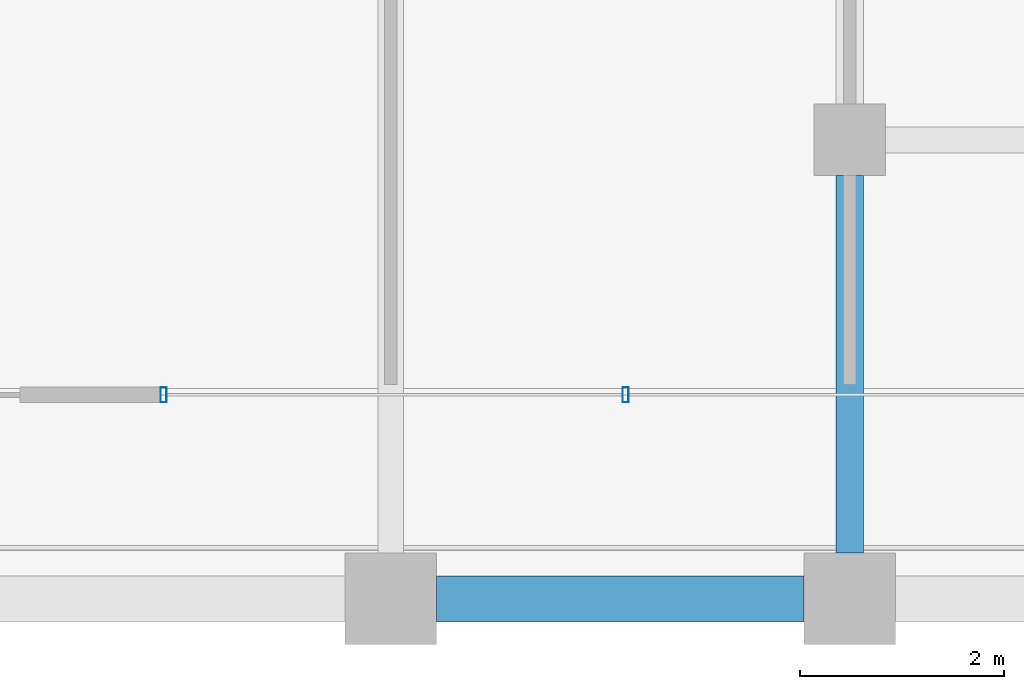
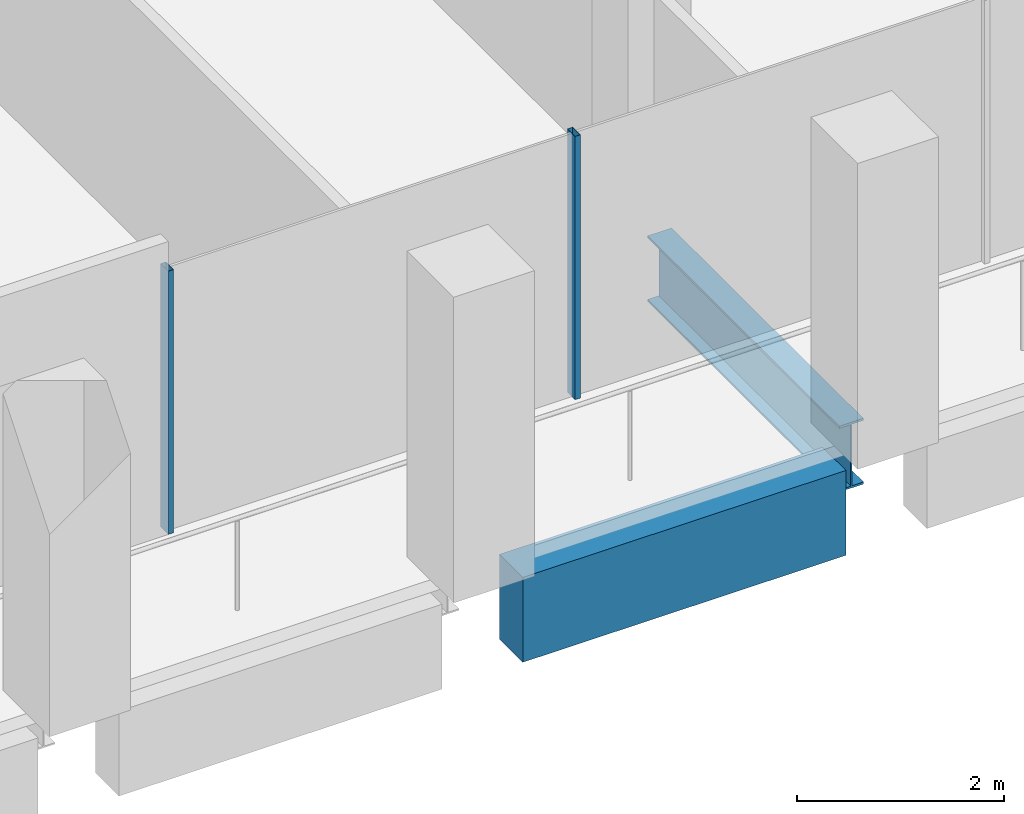
# One storey, part 9 of 40: 2 beams, 2 members, 1 element without a shape of its own.
"""IFC4 building model written with IfcOpenShell, lengths in metres."""

from ifc_helpers import new_model, si_unit, direction, frame, origin, origin_2d, place, context, subcontext, project, spatial, rectangle, hollow_rectangle, i_section, extrude, material, material_profile, profile_set, type_object, element, aggregate, save


model = new_model("IFC4")

# Units and contexts
model_context = context("Model", 3, precision=1e-05, world=origin(), true_north=direction((0.0, 1.0)))
body_context = subcontext(model_context, "Body", "Model", "MODEL_VIEW")
ifc_project = project(units=[si_unit("LENGTHUNIT", "METRE"), si_unit("AREAUNIT", "SQUARE_METRE"), si_unit("VOLUMEUNIT", "CUBIC_METRE"), si_unit("PLANEANGLEUNIT", "RADIAN"), si_unit("MASSUNIT", "GRAM", prefix="KILO")], contexts=[model_context])

# Site, building, storey
site_placement = place(None, origin())
site = spatial("IfcSite", under=ifc_project, at=site_placement, CompositionType="ELEMENT")
building_placement = place(site_placement, origin())
building = spatial("IfcBuilding", under=site, at=building_placement, Name="Altepetl Exchange Towers", CompositionType="ELEMENT")
storey_placement = place(building_placement, frame((0.0, 0.0, 169.0)))
storey = spatial("IfcBuildingStorey", under=building, at=storey_placement, Name="L42", CompositionType="ELEMENT", Elevation=169.0)

# Beam
ifc_material_1 = material(Name="Steel S355", Category="steel")
ifc_material_profile_1 = material_profile(ifc_material_1, i_section(OverallWidth=0.26806640625, OverallDepth=0.77392578125, WebThickness=0.015380859375, FlangeThickness=0.025390625, at=origin_2d()), Name="W30X132")
ifc_profile_set_1 = profile_set([ifc_material_profile_1], Name="Steel S355")
beam_type_1 = type_object("IfcBeamType", Name="Girder W30X132", PredefinedType="BEAM", material=ifc_profile_set_1)
beam_1_placement = place(storey_placement, frame((58.5, 31.14990234375, -0.537109375), z_axis=(0.0, -1.0, 0.0), x_axis=(1.0, 0.0, 0.0)))
element("IfcBeam", 1, at=beam_1_placement, inside=storey, type_object=beam_type_1, Name="gd:A:L42:005", PredefinedType="BEAM", context=body_context, shape_type="SweptSolid", body=[
    extrude(i_section(OverallWidth=0.26806640625, OverallDepth=0.77392578125, WebThickness=0.015380859375, FlangeThickness=0.025390625, at=origin_2d()), origin(), (0.0, 0.0, 1.0), 3.699951171875),
])

# Curtain wall, members
ifc_material_2 = material(Name="Aluminium 6063-T6 glazing", Category="aluminium")
curtain_wall_type = type_object("IfcCurtainWallType", Name="Loggia glazing system", PredefinedType="NOTDEFINED", material=ifc_material_2)
curtain_wall_placement = place(storey_placement, origin())
curtain_wall = element("IfcCurtainWall", 2, at=curtain_wall_placement, inside=storey, type_object=curtain_wall_type, Name="CW1 run", PredefinedType="NOTDEFINED")
ifc_material_3 = material(Name="Aluminium 6063-T6", Category="aluminium")
ifc_material_profile_2 = material_profile(ifc_material_3, hollow_rectangle(XDim=0.06005859375, YDim=0.14990234375, WallThickness=0.0029296875, at=origin_2d()), Name="Mullion 60x150 aluminium")
ifc_profile_set_2 = profile_set([ifc_material_profile_2], Name="Aluminium 6063-T6")
member_type = type_object("IfcMemberType", Name="Mullion 60x150 aluminium", PredefinedType="MULLION", material=ifc_profile_set_2)
member_1_placement = place(storey_placement, frame((51.77294921875, 29.0, 0.0)))
member_1 = element("IfcMember", 3, at=member_1_placement, type_object=member_type, Name="MU1 mullion", PredefinedType="MULLION", context=body_context, shape_type="SweptSolid", body=[
    extrude(hollow_rectangle(XDim=0.06005859375, YDim=0.14990234375, WallThickness=0.0029296875, at=origin_2d()), origin(), (0.0, 0.0, 1.0), 3.10009765625),
])
member_2_placement = place(storey_placement, frame((56.303466796875, 29.0, 0.0)))
member_2 = element("IfcMember", 4, at=member_2_placement, type_object=member_type, Name="MU1 mullion", PredefinedType="MULLION", context=body_context, shape_type="SweptSolid", body=[
    extrude(hollow_rectangle(XDim=0.06005859375, YDim=0.14990234375, WallThickness=0.0029296875, at=origin_2d()), origin(), (0.0, 0.0, 1.0), 3.10009765625),
])
aggregate(curtain_wall, [member_1, member_2])

# Beam
ifc_material_4 = material(Name="Concrete C50/60 precast with cantera blanca facing", Category="concrete")
ifc_material_profile_3 = material_profile(ifc_material_4, rectangle(XDim=0.449951171875, YDim=1.0, at=origin_2d()), Name="450 x 1000")
ifc_profile_set_3 = profile_set([ifc_material_profile_3], Name="Concrete C50/60 precast with cantera blanca facing")
beam_type_2 = type_object("IfcBeamType", Name="Spandrel beam 450x1000 cantera blanca", PredefinedType="SPANDREL", material=ifc_profile_set_3)
beam_2_placement = place(storey_placement, frame((54.449951171875, 27.0, -0.64990234375), z_axis=(1.0, 0.0, 0.0), x_axis=(0.0, 1.0, 0.0)))
element("IfcBeam", 5, at=beam_2_placement, inside=storey, type_object=beam_type_2, Name="sp:A:L42:005", PredefinedType="SPANDREL", context=body_context, shape_type="SweptSolid", body=[
    extrude(rectangle(XDim=0.449951171875, YDim=1.0, at=origin_2d()), origin(), (0.0, 0.0, 1.0), 3.60009765625),
])

save(model, "model.ifc")
